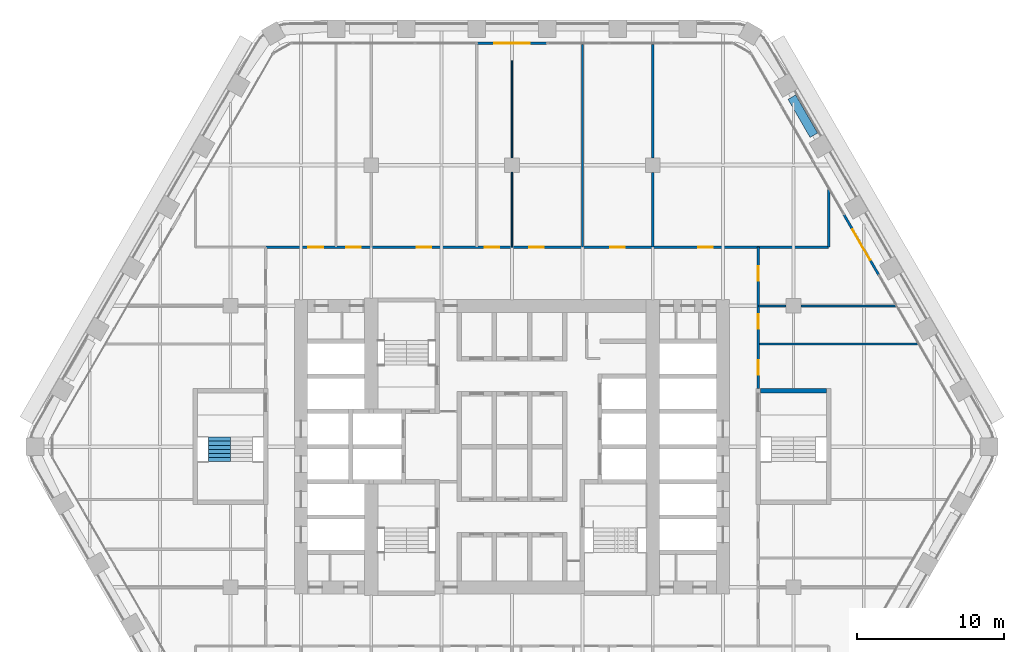
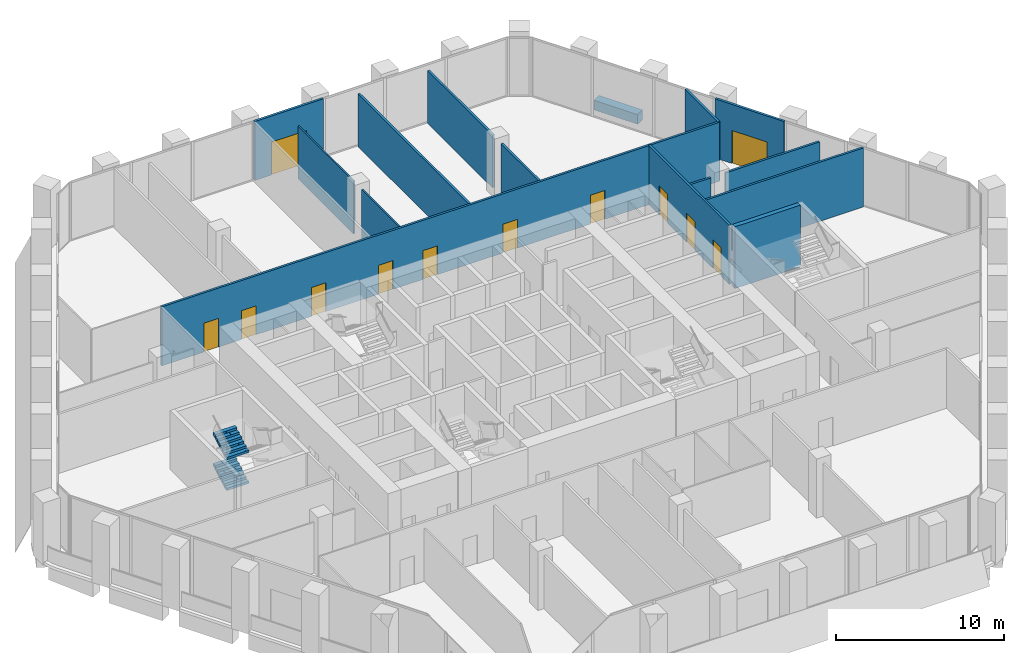
# One storey, part 17 of 23: 15 walls, 12 doors, 2 stair flights, 12 openings, 1 element without a shape of its own.
"""IFC4 building model written with IfcOpenShell, lengths in metres."""

from ifc_helpers import new_model, si_unit, direction, frame, frame_2d, origin, place, context, subcontext, project, spatial, polyline, rectangle, outline, extrude, material, layer, layer_set, type_object, element, fill, aggregate, save


model = new_model("IFC4")

# Units and contexts
model_context = context("Model", 3, precision=1e-05, world=origin(), true_north=direction((0.0, 1.0)))
body_context = subcontext(model_context, "Body", "Model", "MODEL_VIEW")
ifc_project = project(units=[si_unit("LENGTHUNIT", "METRE"), si_unit("AREAUNIT", "SQUARE_METRE"), si_unit("VOLUMEUNIT", "CUBIC_METRE"), si_unit("PLANEANGLEUNIT", "RADIAN"), si_unit("MASSUNIT", "GRAM", prefix="KILO")], contexts=[model_context])

# Site, building, storey
site_placement = place(None, origin())
site = spatial("IfcSite", under=ifc_project, at=site_placement, CompositionType="ELEMENT")
building_placement = place(site_placement, origin())
building = spatial("IfcBuilding", under=site, at=building_placement, Name="Kolab Exchange Tower", CompositionType="ELEMENT")
storey_placement = place(building_placement, frame((0.0, 0.0, 100.39990234375)))
storey = spatial("IfcBuildingStorey", under=building, at=storey_placement, Name="L19", CompositionType="ELEMENT", Elevation=100.39990234375)

# Wall, opening, door
ifc_material_1 = material(Name="Aluminium EN AW-6063 T6", Category="aluminium")
ifc_layer_1 = layer(ifc_material_1, 0.159912109375)
ifc_layer_set_1 = layer_set([ifc_layer_1], Name="Aluminium EN AW-6063 T6")
wall_type_1 = type_object("IfcWallType", Name="DOOR SURROUND WALL 160 ALUMINIUM FRAMED", PredefinedType="PARTITIONING", material=ifc_layer_set_1)
wall_1_placement = place(storey_placement, frame((-2.3701171875, 27.5185546875, 0.0), z_axis=(0.0, 0.0, 1.0), x_axis=(1.0, 0.0, 0.0)))
wall_1 = element("IfcWall", 1, at=wall_1_placement, inside=storey, type_object=wall_type_1, Name="Door surround wall", PredefinedType="PARTITIONING", context=body_context, shape_type="SweptSolid", body=[
    extrude(rectangle(XDim=4.740234375, YDim=0.159912109375, at=frame_2d((2.3701171875, 0.0))), origin(), (0.0, 0.0, 1.0), 4.300048828125),
])
opening_1_placement = place(wall_1_placement, frame((1.169921875, 0.0, 0.0)))
opening_1 = element("IfcOpeningElement", 2, at=opening_1_placement, cuts=wall_1, Name="Opening GD1-034", PredefinedType="OPENING", context=body_context, shape_type="SweptSolid", body=[
    extrude(rectangle(XDim=2.39990234375, YDim=2.39990234375, at=frame_2d((1.199951171875, 1.199951171875))), frame((0.0, 0.08984375, 0.0), z_axis=(0.0, -1.0, 0.0), x_axis=(1.0, 0.0, 0.0)), (0.0, 0.0, 1.0), 0.179931640625),
])
door_type_1 = type_object("IfcDoorType", Name="LOGGIA SLIDING GLASS DOOR 2400 X 2400", OperationType="DOUBLE_DOOR_SINGLE_SWING", PredefinedType="DOOR", material=ifc_material_1)
door_1_placement = place(opening_1_placement, origin())
door_1 = element("IfcDoor", 3, at=door_1_placement, inside=storey, type_object=door_type_1, Name="Loggia door", OperationType="DOUBLE_DOOR_SLIDING", OverallHeight=2.39990234375, OverallWidth=2.39990234375, PredefinedType="DOOR", context=body_context, shape_type="SweptSolid", body=[
    extrude(rectangle(XDim=2.39990234375, YDim=2.39990234375, at=frame_2d((1.199951171875, 1.199951171875))), frame((0.0, 0.02490234375, 0.0), z_axis=(0.0, -1.0, 0.0), x_axis=(1.0, 0.0, 0.0)), (0.0, 0.0, 1.0), 0.050048828125),
])
fill(opening_1, door_1)

wall_2_placement = place(storey_placement, frame((22.646728515625, 15.811767578125, 0.0), z_axis=(0.0, 0.0, 1.0), x_axis=(0.499978080042, -0.866038058908, 0.0)))
wall_2 = element("IfcWall", 4, at=wall_2_placement, inside=storey, type_object=wall_type_1, Name="Door surround wall", PredefinedType="PARTITIONING", context=body_context, shape_type="SweptSolid", body=[
    extrude(rectangle(XDim=4.739990234375, YDim=0.159912109375, at=frame_2d((2.3701171875, 0.0))), origin(), (0.0, 0.0, 1.0), 4.300048828125),
])
opening_2_placement = place(wall_2_placement, frame((1.169921875, 0.0, 0.0)))
opening_2 = element("IfcOpeningElement", 5, at=opening_2_placement, cuts=wall_2, Name="Opening GD1-035", PredefinedType="OPENING", context=body_context, shape_type="SweptSolid", body=[
    extrude(rectangle(XDim=2.39990234375, YDim=2.39990234375, at=frame_2d((1.199951171875, 1.199951171875))), frame((0.0, 0.08984375, 0.0), z_axis=(0.0, -1.0, 0.0), x_axis=(1.0, 0.0, 0.0)), (0.0, 0.0, 1.0), 0.179931640625),
])
door_2_placement = place(opening_2_placement, origin())
door_2 = element("IfcDoor", 6, at=door_2_placement, inside=storey, type_object=door_type_1, Name="Loggia door", OperationType="DOUBLE_DOOR_SLIDING", OverallHeight=2.39990234375, OverallWidth=2.39990234375, PredefinedType="DOOR", context=body_context, shape_type="SweptSolid", body=[
    extrude(rectangle(XDim=2.39990234375, YDim=2.39990234375, at=frame_2d((1.199951171875, 1.199951171875))), frame((0.0, 0.02490234375, 0.0), z_axis=(0.0, -1.0, 0.0), x_axis=(1.0, 0.0, 0.0)), (0.0, 0.0, 1.0), 0.050048828125),
])
fill(opening_2, door_2)

# Walls
ifc_material_2 = material(Name="Gypsum board", Category="gypsum")
ifc_layer_2 = layer(ifc_material_2, 0.10009765625)
ifc_layer_set_2 = layer_set([ifc_layer_2], Name="Gypsum board")
wall_type_2 = type_object("IfcWallType", Name="PARTITION 100", PredefinedType="PARTITIONING", material=ifc_layer_set_2)
wall_3_placement = place(storey_placement, frame((0.0, 13.60009765625, 0.0), z_axis=(0.0, 0.0, 1.0), x_axis=(0.0, 1.0, 0.0)))
element("IfcWall", 7, at=wall_3_placement, inside=storey, type_object=wall_type_2, Name="Partition 016", PredefinedType="PARTITIONING", context=body_context, shape_type="SweptSolid", body=[
    extrude(rectangle(XDim=5.099853515625, YDim=0.10009765625, at=frame_2d((2.5498046875, 0.0))), origin(), (0.0, 0.0, 1.0), 3.843017578125),
])
wall_4_placement = place(storey_placement, frame((0.0, 19.699951171875, 0.0), z_axis=(0.0, 0.0, 1.0), x_axis=(0.0, 1.0, 0.0)))
element("IfcWall", 8, at=wall_4_placement, inside=storey, type_object=wall_type_2, Name="Partition 017", PredefinedType="PARTITIONING", context=body_context, shape_type="SweptSolid", body=[
    extrude(rectangle(XDim=6.61865234375, YDim=0.10009765625, at=frame_2d((3.309326171875, 0.0))), origin(), (0.0, 0.0, 1.0), 3.843017578125),
])
ifc_layer_3 = layer(ifc_material_2, 0.14990234375)
ifc_layer_set_3 = layer_set([ifc_layer_3], Name="Gypsum board")
wall_type_3 = type_object("IfcWallType", Name="PARTITION 150 FIRE-RATED", PredefinedType="PARTITIONING", material=ifc_layer_set_3)
wall_5_placement = place(storey_placement, frame((21.60009765625, 13.60009765625, 0.0), z_axis=(0.0, 0.0, 1.0), x_axis=(0.0, 1.0, 0.0)))
element("IfcWall", 9, at=wall_5_placement, inside=storey, type_object=wall_type_3, Name="Partition 001", PredefinedType="PARTITIONING", context=body_context, shape_type="SweptSolid", body=[
    extrude(rectangle(XDim=3.944580078125, YDim=0.14990234375, at=frame_2d((1.97216796875, 0.0))), origin(), (0.0, 0.0, 1.0), 4.300048828125),
])

# Wall, openings, doors
wall_6_placement = place(storey_placement, frame((16.800048828125, 3.949951171875, 0.0), z_axis=(0.0, 0.0, 1.0), x_axis=(0.0, 1.0, 0.0)))
wall_6 = element("IfcWall", 10, at=wall_6_placement, inside=storey, type_object=wall_type_3, Name="Partition 003", PredefinedType="PARTITIONING", context=body_context, shape_type="SweptSolid", body=[
    extrude(rectangle(XDim=9.650146484375, YDim=0.14990234375, at=frame_2d((4.8251953125, 0.0))), origin(), (0.0, 0.0, 1.0), 4.300048828125),
])
opening_3_placement = place(wall_6_placement, frame((0.949951171875, 0.0, 0.0)))
opening_3 = element("IfcOpeningElement", 11, at=opening_3_placement, cuts=wall_6, Name="Opening D1-273", PredefinedType="OPENING", context=body_context, shape_type="SweptSolid", body=[
    extrude(rectangle(XDim=1.0, YDim=2.10009765625, at=frame_2d((0.5, 1.050048828125))), frame((0.0, 0.0849609375, 0.0), z_axis=(0.0, -1.0, 0.0), x_axis=(1.0, 0.0, 0.0)), (0.0, 0.0, 1.0), 0.169921875),
])
opening_4_placement = place(wall_6_placement, frame((4.094970703125, 0.0, 0.0)))
opening_4 = element("IfcOpeningElement", 12, at=opening_4_placement, cuts=wall_6, Name="Opening D1-274", PredefinedType="OPENING", context=body_context, shape_type="SweptSolid", body=[
    extrude(rectangle(XDim=1.0, YDim=2.10009765625, at=frame_2d((0.5, 1.050048828125))), frame((0.0, 0.0849609375, 0.0), z_axis=(0.0, -1.0, 0.0), x_axis=(1.0, 0.0, 0.0)), (0.0, 0.0, 1.0), 0.169921875),
])
opening_5_placement = place(wall_6_placement, frame((7.35009765625, 0.0, 0.0)))
opening_5 = element("IfcOpeningElement", 13, at=opening_5_placement, cuts=wall_6, Name="Opening D1-275", PredefinedType="OPENING", context=body_context, shape_type="SweptSolid", body=[
    extrude(rectangle(XDim=1.0, YDim=2.10009765625, at=frame_2d((0.5, 1.050048828125))), frame((0.0, 0.0849609375, 0.0), z_axis=(0.0, -1.0, 0.0), x_axis=(1.0, 0.0, 0.0)), (0.0, 0.0, 1.0), 0.169921875),
])
ifc_material_3 = material(Name="Steel S235", Category="steel")
door_type_2 = type_object("IfcDoorType", Name="FLUSH DOOR 1000 FD60", OperationType="SINGLE_SWING_LEFT", PredefinedType="DOOR", material=ifc_material_3)
door_3_placement = place(opening_3_placement, frame((1.0, 0.0, 0.0), z_axis=(0.0, 0.0, 1.0), x_axis=(-1.0, 0.0, 0.0)))
door_3 = element("IfcDoor", 14, at=door_3_placement, inside=storey, type_object=door_type_2, Name="Door L19-067", OperationType="SINGLE_SWING_RIGHT", OverallHeight=2.10009765625, OverallWidth=1.0, PredefinedType="DOOR", context=body_context, shape_type="SweptSolid", body=[
    extrude(rectangle(XDim=1.0, YDim=2.10009765625, at=frame_2d((0.5, 1.050048828125))), frame((0.0, 0.02490234375, 0.0), z_axis=(0.0, -1.0, 0.0), x_axis=(1.0, 0.0, 0.0)), (0.0, 0.0, 1.0), 0.050048828125),
])
fill(opening_3, door_3)
door_4_placement = place(opening_4_placement, frame((1.0, 0.0, 0.0), z_axis=(0.0, 0.0, 1.0), x_axis=(-1.0, 0.0, 0.0)))
door_4 = element("IfcDoor", 15, at=door_4_placement, inside=storey, type_object=door_type_2, Name="Door L19-068", OperationType="SINGLE_SWING_RIGHT", OverallHeight=2.10009765625, OverallWidth=1.0, PredefinedType="DOOR", context=body_context, shape_type="SweptSolid", body=[
    extrude(rectangle(XDim=1.0, YDim=2.10009765625, at=frame_2d((0.5, 1.050048828125))), frame((0.0, 0.02490234375, 0.0), z_axis=(0.0, -1.0, 0.0), x_axis=(1.0, 0.0, 0.0)), (0.0, 0.0, 1.0), 0.050048828125),
])
fill(opening_4, door_4)
door_5_placement = place(opening_5_placement, frame((1.0, 0.0, 0.0), z_axis=(0.0, 0.0, 1.0), x_axis=(-1.0, 0.0, 0.0)))
door_5 = element("IfcDoor", 16, at=door_5_placement, inside=storey, type_object=door_type_2, Name="Door L19-069", OperationType="SINGLE_SWING_RIGHT", OverallHeight=2.10009765625, OverallWidth=1.0, PredefinedType="DOOR", context=body_context, shape_type="SweptSolid", body=[
    extrude(rectangle(XDim=1.0, YDim=2.10009765625, at=frame_2d((0.5, 1.050048828125))), frame((0.0, 0.02490234375, 0.0), z_axis=(0.0, -1.0, 0.0), x_axis=(1.0, 0.0, 0.0)), (0.0, 0.0, 1.0), 0.050048828125),
])
fill(opening_5, door_5)

# Walls
wall_7_placement = place(storey_placement, frame((9.60009765625, 13.60009765625, 0.0), z_axis=(0.0, 0.0, 1.0), x_axis=(0.0, 1.0, 0.0)))
element("IfcWall", 17, at=wall_7_placement, inside=storey, type_object=wall_type_3, Name="Partition 009", PredefinedType="PARTITIONING", context=body_context, shape_type="SweptSolid", body=[
    extrude(rectangle(XDim=5.099853515625, YDim=0.14990234375, at=frame_2d((2.5498046875, 0.0))), origin(), (0.0, 0.0, 1.0), 3.843017578125),
])
wall_8_placement = place(storey_placement, frame((9.60009765625, 19.699951171875, 0.0), z_axis=(0.0, 0.0, 1.0), x_axis=(0.0, 1.0, 0.0)))
element("IfcWall", 18, at=wall_8_placement, inside=storey, type_object=wall_type_3, Name="Partition 010", PredefinedType="PARTITIONING", context=body_context, shape_type="SweptSolid", body=[
    extrude(rectangle(XDim=7.728515625, YDim=0.14990234375, at=frame_2d((3.8642578125, 0.0))), origin(), (0.0, 0.0, 1.0), 3.843017578125),
])
wall_9_placement = place(storey_placement, frame((4.800048828125, 13.60009765625, 0.0), z_axis=(0.0, 0.0, 1.0), x_axis=(0.0, 1.0, 0.0)))
element("IfcWall", 19, at=wall_9_placement, inside=storey, type_object=wall_type_3, Name="Partition 013", PredefinedType="PARTITIONING", context=body_context, shape_type="SweptSolid", body=[
    extrude(rectangle(XDim=13.828369140625, YDim=0.14990234375, at=frame_2d((6.9140625, 0.0))), origin(), (0.0, 0.0, 1.0), 3.843017578125),
])
wall_10_placement = place(storey_placement, frame((16.800048828125, 7.0, 0.0), z_axis=(0.0, 0.0, 1.0), x_axis=(1.0, 0.0, 0.0)))
element("IfcWall", 20, at=wall_10_placement, inside=storey, type_object=wall_type_3, Name="Partition 049", PredefinedType="PARTITIONING", context=body_context, shape_type="SweptSolid", body=[
    extrude(rectangle(XDim=10.887939453125, YDim=0.14990234375, at=frame_2d((5.44384765625, 0.0))), origin(), (0.0, 0.0, 1.0), 4.300048828125),
])
wall_11_placement = place(storey_placement, frame((16.800048828125, 9.60009765625, 0.0), z_axis=(0.0, 0.0, 1.0), x_axis=(1.0, 0.0, 0.0)))
element("IfcWall", 21, at=wall_11_placement, inside=storey, type_object=wall_type_3, Name="Partition 052", PredefinedType="PARTITIONING", context=body_context, shape_type="SweptSolid", body=[
    extrude(rectangle(XDim=1.89990234375, YDim=0.14990234375, at=frame_2d((0.949951171875, 0.0))), origin(), (0.0, 0.0, 1.0), 3.692138671875),
])
wall_12_placement = place(storey_placement, frame((19.699951171875, 9.60009765625, 0.0), z_axis=(0.0, 0.0, 1.0), x_axis=(1.0, 0.0, 0.0)))
element("IfcWall", 22, at=wall_12_placement, inside=storey, type_object=wall_type_3, Name="Partition 053", PredefinedType="PARTITIONING", context=body_context, shape_type="SweptSolid", body=[
    extrude(rectangle(XDim=6.48681640625, YDim=0.14990234375, at=frame_2d((3.243408203125, 0.0))), origin(), (0.0, 0.0, 1.0), 3.692138671875),
])

# Wall, openings, doors
wall_13_placement = place(storey_placement, frame((-16.800048828125, 13.60009765625, 0.0), z_axis=(0.0, 0.0, 1.0), x_axis=(1.0, 0.0, 0.0)))
wall_13 = element("IfcWall", 23, at=wall_13_placement, inside=storey, type_object=wall_type_3, Name="Partition 055", PredefinedType="PARTITIONING", context=body_context, shape_type="SweptSolid", body=[
    extrude(rectangle(XDim=38.400146484375, YDim=0.14990234375, at=frame_2d((19.2001953125, 0.0))), origin(), (0.0, 0.0, 1.0), 4.300048828125),
])
opening_6_placement = place(wall_13_placement, frame((2.9150390625, 0.0, 0.0)))
opening_6 = element("IfcOpeningElement", 24, at=opening_6_placement, cuts=wall_13, Name="Opening D1-256", PredefinedType="OPENING", context=body_context, shape_type="SweptSolid", body=[
    extrude(rectangle(XDim=1.0, YDim=2.10009765625, at=frame_2d((0.5, 1.050048828125))), frame((0.0, 0.0849609375, 0.0), z_axis=(0.0, -1.0, 0.0), x_axis=(1.0, 0.0, 0.0)), (0.0, 0.0, 1.0), 0.169921875),
])
opening_7_placement = place(wall_13_placement, frame((5.5, 0.0, 0.0)))
opening_7 = element("IfcOpeningElement", 25, at=opening_7_placement, cuts=wall_13, Name="Opening D1-257", PredefinedType="OPENING", context=body_context, shape_type="SweptSolid", body=[
    extrude(rectangle(XDim=1.0, YDim=2.10009765625, at=frame_2d((0.5, 1.050048828125))), frame((0.0, 0.0849609375, 0.0), z_axis=(0.0, -1.0, 0.0), x_axis=(1.0, 0.0, 0.0)), (0.0, 0.0, 1.0), 0.169921875),
])
opening_8_placement = place(wall_13_placement, frame((10.300048828125, 0.0, 0.0)))
opening_8 = element("IfcOpeningElement", 26, at=opening_8_placement, cuts=wall_13, Name="Opening D1-258", PredefinedType="OPENING", context=body_context, shape_type="SweptSolid", body=[
    extrude(rectangle(XDim=1.0, YDim=2.10009765625, at=frame_2d((0.5, 1.050048828125))), frame((0.0, 0.0849609375, 0.0), z_axis=(0.0, -1.0, 0.0), x_axis=(1.0, 0.0, 0.0)), (0.0, 0.0, 1.0), 0.169921875),
])
opening_9_placement = place(wall_13_placement, frame((14.925048828125, 0.0, 0.0)))
opening_9 = element("IfcOpeningElement", 27, at=opening_9_placement, cuts=wall_13, Name="Opening D1-259", PredefinedType="OPENING", context=body_context, shape_type="SweptSolid", body=[
    extrude(rectangle(XDim=1.0, YDim=2.10009765625, at=frame_2d((0.5, 1.050048828125))), frame((0.0, 0.0849609375, 0.0), z_axis=(0.0, -1.0, 0.0), x_axis=(1.0, 0.0, 0.0)), (0.0, 0.0, 1.0), 0.169921875),
])
opening_10_placement = place(wall_13_placement, frame((17.97509765625, 0.0, 0.0)))
opening_10 = element("IfcOpeningElement", 28, at=opening_10_placement, cuts=wall_13, Name="Opening D1-260", PredefinedType="OPENING", context=body_context, shape_type="SweptSolid", body=[
    extrude(rectangle(XDim=1.0, YDim=2.10009765625, at=frame_2d((0.5, 1.050048828125))), frame((0.0, 0.0849609375, 0.0), z_axis=(0.0, -1.0, 0.0), x_axis=(1.0, 0.0, 0.0)), (0.0, 0.0, 1.0), 0.169921875),
])
opening_11_placement = place(wall_13_placement, frame((23.5, 0.0, 0.0)))
opening_11 = element("IfcOpeningElement", 29, at=opening_11_placement, cuts=wall_13, Name="Opening D1-261", PredefinedType="OPENING", context=body_context, shape_type="SweptSolid", body=[
    extrude(rectangle(XDim=1.0, YDim=2.10009765625, at=frame_2d((0.5, 1.050048828125))), frame((0.0, 0.0849609375, 0.0), z_axis=(0.0, -1.0, 0.0), x_axis=(1.0, 0.0, 0.0)), (0.0, 0.0, 1.0), 0.169921875),
])
opening_12_placement = place(wall_13_placement, frame((29.5, 0.0, 0.0)))
opening_12 = element("IfcOpeningElement", 30, at=opening_12_placement, cuts=wall_13, Name="Opening D1-262", PredefinedType="OPENING", context=body_context, shape_type="SweptSolid", body=[
    extrude(rectangle(XDim=1.0, YDim=2.10009765625, at=frame_2d((0.5, 1.050048828125))), frame((0.0, 0.0849609375, 0.0), z_axis=(0.0, -1.0, 0.0), x_axis=(1.0, 0.0, 0.0)), (0.0, 0.0, 1.0), 0.169921875),
])
door_6_placement = place(opening_6_placement, origin())
door_6 = element("IfcDoor", 31, at=door_6_placement, inside=storey, type_object=door_type_2, Name="Door L19-050", OperationType="SINGLE_SWING_RIGHT", OverallHeight=2.10009765625, OverallWidth=1.0, PredefinedType="DOOR", context=body_context, shape_type="SweptSolid", body=[
    extrude(rectangle(XDim=1.0, YDim=2.10009765625, at=frame_2d((0.5, 1.050048828125))), frame((0.0, 0.02490234375, 0.0), z_axis=(0.0, -1.0, 0.0), x_axis=(1.0, 0.0, 0.0)), (0.0, 0.0, 1.0), 0.050048828125),
])
fill(opening_6, door_6)
door_7_placement = place(opening_7_placement, origin())
door_7 = element("IfcDoor", 32, at=door_7_placement, inside=storey, type_object=door_type_2, Name="Door L19-051", OperationType="SINGLE_SWING_LEFT", OverallHeight=2.10009765625, OverallWidth=1.0, PredefinedType="DOOR", context=body_context, shape_type="SweptSolid", body=[
    extrude(rectangle(XDim=1.0, YDim=2.10009765625, at=frame_2d((0.5, 1.050048828125))), frame((0.0, 0.02490234375, 0.0), z_axis=(0.0, -1.0, 0.0), x_axis=(1.0, 0.0, 0.0)), (0.0, 0.0, 1.0), 0.050048828125),
])
fill(opening_7, door_7)
door_8_placement = place(opening_8_placement, origin())
door_8 = element("IfcDoor", 33, at=door_8_placement, inside=storey, type_object=door_type_2, Name="Door L19-052", OperationType="SINGLE_SWING_LEFT", OverallHeight=2.10009765625, OverallWidth=1.0, PredefinedType="DOOR", context=body_context, shape_type="SweptSolid", body=[
    extrude(rectangle(XDim=1.0, YDim=2.10009765625, at=frame_2d((0.5, 1.050048828125))), frame((0.0, 0.02490234375, 0.0), z_axis=(0.0, -1.0, 0.0), x_axis=(1.0, 0.0, 0.0)), (0.0, 0.0, 1.0), 0.050048828125),
])
fill(opening_8, door_8)
door_9_placement = place(opening_9_placement, origin())
door_9 = element("IfcDoor", 34, at=door_9_placement, inside=storey, type_object=door_type_2, Name="Door L19-053", OperationType="SINGLE_SWING_LEFT", OverallHeight=2.10009765625, OverallWidth=1.0, PredefinedType="DOOR", context=body_context, shape_type="SweptSolid", body=[
    extrude(rectangle(XDim=1.0, YDim=2.10009765625, at=frame_2d((0.5, 1.050048828125))), frame((0.0, 0.02490234375, 0.0), z_axis=(0.0, -1.0, 0.0), x_axis=(1.0, 0.0, 0.0)), (0.0, 0.0, 1.0), 0.050048828125),
])
fill(opening_9, door_9)
door_10_placement = place(opening_10_placement, origin())
door_10 = element("IfcDoor", 35, at=door_10_placement, inside=storey, type_object=door_type_2, Name="Door L19-054", OperationType="SINGLE_SWING_LEFT", OverallHeight=2.10009765625, OverallWidth=1.0, PredefinedType="DOOR", context=body_context, shape_type="SweptSolid", body=[
    extrude(rectangle(XDim=1.0, YDim=2.10009765625, at=frame_2d((0.5, 1.050048828125))), frame((0.0, 0.02490234375, 0.0), z_axis=(0.0, -1.0, 0.0), x_axis=(1.0, 0.0, 0.0)), (0.0, 0.0, 1.0), 0.050048828125),
])
fill(opening_10, door_10)
door_11_placement = place(opening_11_placement, origin())
door_11 = element("IfcDoor", 36, at=door_11_placement, inside=storey, type_object=door_type_2, Name="Door L19-055", OperationType="SINGLE_SWING_LEFT", OverallHeight=2.10009765625, OverallWidth=1.0, PredefinedType="DOOR", context=body_context, shape_type="SweptSolid", body=[
    extrude(rectangle(XDim=1.0, YDim=2.10009765625, at=frame_2d((0.5, 1.050048828125))), frame((0.0, 0.02490234375, 0.0), z_axis=(0.0, -1.0, 0.0), x_axis=(1.0, 0.0, 0.0)), (0.0, 0.0, 1.0), 0.050048828125),
])
fill(opening_11, door_11)
door_12_placement = place(opening_12_placement, origin())
door_12 = element("IfcDoor", 37, at=door_12_placement, inside=storey, type_object=door_type_2, Name="Door L19-056", OperationType="SINGLE_SWING_LEFT", OverallHeight=2.10009765625, OverallWidth=1.0, PredefinedType="DOOR", context=body_context, shape_type="SweptSolid", body=[
    extrude(rectangle(XDim=1.0, YDim=2.10009765625, at=frame_2d((0.5, 1.050048828125))), frame((0.0, 0.02490234375, 0.0), z_axis=(0.0, -1.0, 0.0), x_axis=(1.0, 0.0, 0.0)), (0.0, 0.0, 1.0), 0.050048828125),
])
fill(opening_12, door_12)

# Walls
ifc_material_4 = material(Name="Granite facing", Category="masonry")
ifc_layer_4 = layer(ifc_material_4, 0.0400390625)
ifc_material_5 = material(Name="Concrete C40/50 precast", Category="concrete")
ifc_layer_5 = layer(ifc_material_5, 0.56005859375)
ifc_layer_set_4 = layer_set([ifc_layer_4, ifc_layer_5], Name="Concrete C40/50 precast")
wall_type_4 = type_object("IfcWallType", Name="PLANTER BOX 600 X 700 SOIL DEPTH 550", PredefinedType="USERDEFINED", material=ifc_layer_set_4)
wall_14_placement = place(storey_placement, frame((19.087158203125, 23.837158203125, 0.0), z_axis=(0.0, 0.0, 1.0), x_axis=(0.499990139034, -0.866031096941, 0.0)))
element("IfcWall", 38, at=wall_14_placement, inside=storey, type_object=wall_type_4, Name="Planter", ObjectType="PLANTER", PredefinedType="USERDEFINED", context=body_context, shape_type="SweptSolid", body=[
    extrude(rectangle(XDim=3.0, YDim=0.60009765625, at=frame_2d((1.5, 0.0))), origin(), (0.0, 0.0, 1.0), 0.7001953125),
])
ifc_material_6 = material(Name="Concrete C50/60", Category="concrete")
ifc_layer_6 = layer(ifc_material_6, 0.300048828125)
ifc_layer_set_5 = layer_set([ifc_layer_6], Name="Concrete C50/60")
wall_type_5 = type_object("IfcWallType", Name="STAIR ENCLOSURE WALL 300 C50/60", PredefinedType="STANDARD", material=ifc_layer_set_5)
wall_15_placement = place(storey_placement, frame((16.949951171875, 3.800048828125, -0.199951171875), z_axis=(0.0, 0.0, 1.0), x_axis=(1.0, 0.0, 0.0)))
element("IfcWall", 39, at=wall_15_placement, inside=storey, type_object=wall_type_5, Name="wall/L19/core/041", PredefinedType="STANDARD", context=body_context, shape_type="SweptSolid", body=[
    extrude(rectangle(XDim=4.5, YDim=0.300048828125, at=frame_2d((2.25, 0.0))), origin(), (0.0, 0.0, 1.0), 4.5),
])

# Stair, stair flights
stair_type = type_object("IfcStairType", Name="STAIR ST5 RISER 160.7", PredefinedType="DOUBLE_RETURN_STAIR", material=ifc_material_6)
stair_placement = place(storey_placement, origin())
stair = element("IfcStair", 40, at=stair_placement, inside=storey, type_object=stair_type, Name="Stair 5", PredefinedType="DOUBLE_RETURN_STAIR")
stair_flight_type = type_object("IfcStairFlightType", Name="STAIR FLIGHT 1500 RISER 160.7", PredefinedType="STRAIGHT", material=ifc_material_6)
stair_flight_1_placement = place(storey_placement, frame((-19.9599609375, -1.030029296875, 1.125), z_axis=(0.0, 0.0, 1.0), x_axis=(0.0, 1.0, 0.0)))
stair_flight_1 = element("IfcStairFlight", 41, at=stair_flight_1_placement, type_object=stair_flight_type, Name="ST5 flight 2", NumberOfRisers=7, NumberOfTreads=6, PredefinedType="STRAIGHT", RiserHeight=0.160714286, TreadLength=0.28, context=body_context, shape_type="SweptSolid", body=[
    extrude(outline(polyline([(0.0, 0.0), (0.0, 0.16064453125), (0.280029296875, 0.16064453125), (0.280029296875, 0.321533203125), (0.56005859375, 0.321533203125), (0.56005859375, 0.482177734375), (0.840087890625, 0.482177734375), (0.840087890625, 0.642822265625), (1.1201171875, 0.642822265625), (1.1201171875, 0.803466796875), (1.39990234375, 0.803466796875), (1.39990234375, 0.96435546875), (1.679931640625, 0.96435546875), (1.679931640625, 1.125), (1.679931640625, 0.79150390625), (0.301025390625, 0.0), (0.0, 0.0)])), frame((0.0, 0.75, 0.0), z_axis=(0.0, -1.0, 0.0), x_axis=(1.0, 0.0, 0.0)), (0.0, 0.0, 1.0), 0.185791015625),
    extrude(outline(polyline([(0.0, 0.0), (0.0, 0.16064453125), (0.280029296875, 0.16064453125), (0.280029296875, 0.321533203125), (0.56005859375, 0.321533203125), (0.56005859375, 0.482177734375), (0.840087890625, 0.482177734375), (0.840087890625, 0.642822265625), (1.1201171875, 0.642822265625), (1.1201171875, 0.803466796875), (1.39990234375, 0.803466796875), (1.39990234375, 0.96435546875), (1.679931640625, 0.96435546875), (1.679931640625, 1.125), (1.679931640625, 0.79150390625), (0.301025390625, 0.0), (0.0, 0.0)])), frame((0.0, 0.562255859375, 0.0), z_axis=(0.0, -1.0, 0.0), x_axis=(1.0, 0.0, 0.0)), (0.0, 0.0, 1.0), 0.185791015625),
    extrude(outline(polyline([(0.0, 0.0), (0.0, 0.16064453125), (0.280029296875, 0.16064453125), (0.280029296875, 0.321533203125), (0.56005859375, 0.321533203125), (0.56005859375, 0.482177734375), (0.840087890625, 0.482177734375), (0.840087890625, 0.642822265625), (1.1201171875, 0.642822265625), (1.1201171875, 0.803466796875), (1.39990234375, 0.803466796875), (1.39990234375, 0.96435546875), (1.679931640625, 0.96435546875), (1.679931640625, 1.125), (1.679931640625, 0.79150390625), (0.301025390625, 0.0), (0.0, 0.0)])), frame((0.0, 0.37451171875, 0.0), z_axis=(0.0, -1.0, 0.0), x_axis=(1.0, 0.0, 0.0)), (0.0, 0.0, 1.0), 0.185791015625),
    extrude(outline(polyline([(0.0, 0.0), (0.0, 0.16064453125), (0.280029296875, 0.16064453125), (0.280029296875, 0.321533203125), (0.56005859375, 0.321533203125), (0.56005859375, 0.482177734375), (0.840087890625, 0.482177734375), (0.840087890625, 0.642822265625), (1.1201171875, 0.642822265625), (1.1201171875, 0.803466796875), (1.39990234375, 0.803466796875), (1.39990234375, 0.96435546875), (1.679931640625, 0.96435546875), (1.679931640625, 1.125), (1.679931640625, 0.79150390625), (0.301025390625, 0.0), (0.0, 0.0)])), frame((0.0, 0.186767578125, 0.0), z_axis=(0.0, -1.0, 0.0), x_axis=(1.0, 0.0, 0.0)), (0.0, 0.0, 1.0), 0.185791015625),
    extrude(outline(polyline([(0.0, 0.0), (0.0, 0.16064453125), (0.280029296875, 0.16064453125), (0.280029296875, 0.321533203125), (0.56005859375, 0.321533203125), (0.56005859375, 0.482177734375), (0.840087890625, 0.482177734375), (0.840087890625, 0.642822265625), (1.1201171875, 0.642822265625), (1.1201171875, 0.803466796875), (1.39990234375, 0.803466796875), (1.39990234375, 0.96435546875), (1.679931640625, 0.96435546875), (1.679931640625, 1.125), (1.679931640625, 0.79150390625), (0.301025390625, 0.0), (0.0, 0.0)])), frame((0.0, -0.0009765625, 0.0), z_axis=(0.0, -1.0, 0.0), x_axis=(1.0, 0.0, 0.0)), (0.0, 0.0, 1.0), 0.185791015625),
    extrude(outline(polyline([(0.0, 0.0), (0.0, 0.16064453125), (0.280029296875, 0.16064453125), (0.280029296875, 0.321533203125), (0.56005859375, 0.321533203125), (0.56005859375, 0.482177734375), (0.840087890625, 0.482177734375), (0.840087890625, 0.642822265625), (1.1201171875, 0.642822265625), (1.1201171875, 0.803466796875), (1.39990234375, 0.803466796875), (1.39990234375, 0.96435546875), (1.679931640625, 0.96435546875), (1.679931640625, 1.125), (1.679931640625, 0.79150390625), (0.301025390625, 0.0), (0.0, 0.0)])), frame((0.0, -0.188720703125, 0.0), z_axis=(0.0, -1.0, 0.0), x_axis=(1.0, 0.0, 0.0)), (0.0, 0.0, 1.0), 0.185791015625),
    extrude(outline(polyline([(0.0, 0.0), (0.0, 0.16064453125), (0.280029296875, 0.16064453125), (0.280029296875, 0.321533203125), (0.56005859375, 0.321533203125), (0.56005859375, 0.482177734375), (0.840087890625, 0.482177734375), (0.840087890625, 0.642822265625), (1.1201171875, 0.642822265625), (1.1201171875, 0.803466796875), (1.39990234375, 0.803466796875), (1.39990234375, 0.96435546875), (1.679931640625, 0.96435546875), (1.679931640625, 1.125), (1.679931640625, 0.79150390625), (0.301025390625, 0.0), (0.0, 0.0)])), frame((0.0, -0.37646484375, 0.0), z_axis=(0.0, -1.0, 0.0), x_axis=(1.0, 0.0, 0.0)), (0.0, 0.0, 1.0), 0.185791015625),
    extrude(outline(polyline([(0.0, 0.0), (0.0, 0.16064453125), (0.280029296875, 0.16064453125), (0.280029296875, 0.321533203125), (0.56005859375, 0.321533203125), (0.56005859375, 0.482177734375), (0.840087890625, 0.482177734375), (0.840087890625, 0.642822265625), (1.1201171875, 0.642822265625), (1.1201171875, 0.803466796875), (1.39990234375, 0.803466796875), (1.39990234375, 0.96435546875), (1.679931640625, 0.96435546875), (1.679931640625, 1.125), (1.679931640625, 0.79150390625), (0.301025390625, 0.0), (0.0, 0.0)])), frame((0.0, -0.564208984375, 0.0), z_axis=(0.0, -1.0, 0.0), x_axis=(1.0, 0.0, 0.0)), (0.0, 0.0, 1.0), 0.185791015625),
])
stair_flight_2_placement = place(storey_placement, frame((-19.9599609375, -1.030029296875, 3.375), z_axis=(0.0, 0.0, 1.0), x_axis=(0.0, 1.0, 0.0)))
stair_flight_2 = element("IfcStairFlight", 42, at=stair_flight_2_placement, type_object=stair_flight_type, Name="ST5 flight 4", NumberOfRisers=7, NumberOfTreads=6, PredefinedType="STRAIGHT", RiserHeight=0.160714286, TreadLength=0.28, context=body_context, shape_type="SweptSolid", body=[
    extrude(outline(polyline([(0.0, 0.0), (0.0, 0.16064453125), (0.280029296875, 0.16064453125), (0.280029296875, 0.321533203125), (0.56005859375, 0.321533203125), (0.56005859375, 0.482177734375), (0.840087890625, 0.482177734375), (0.840087890625, 0.642822265625), (1.1201171875, 0.642822265625), (1.1201171875, 0.803466796875), (1.39990234375, 0.803466796875), (1.39990234375, 0.96435546875), (1.679931640625, 0.96435546875), (1.679931640625, 1.125), (1.679931640625, 0.79150390625), (0.301025390625, 0.0), (0.0, 0.0)])), frame((0.0, 0.75, 0.0), z_axis=(0.0, -1.0, 0.0), x_axis=(1.0, 0.0, 0.0)), (0.0, 0.0, 1.0), 0.185791015625),
    extrude(outline(polyline([(0.0, 0.0), (0.0, 0.16064453125), (0.280029296875, 0.16064453125), (0.280029296875, 0.321533203125), (0.56005859375, 0.321533203125), (0.56005859375, 0.482177734375), (0.840087890625, 0.482177734375), (0.840087890625, 0.642822265625), (1.1201171875, 0.642822265625), (1.1201171875, 0.803466796875), (1.39990234375, 0.803466796875), (1.39990234375, 0.96435546875), (1.679931640625, 0.96435546875), (1.679931640625, 1.125), (1.679931640625, 0.79150390625), (0.301025390625, 0.0), (0.0, 0.0)])), frame((0.0, 0.562255859375, 0.0), z_axis=(0.0, -1.0, 0.0), x_axis=(1.0, 0.0, 0.0)), (0.0, 0.0, 1.0), 0.185791015625),
    extrude(outline(polyline([(0.0, 0.0), (0.0, 0.16064453125), (0.280029296875, 0.16064453125), (0.280029296875, 0.321533203125), (0.56005859375, 0.321533203125), (0.56005859375, 0.482177734375), (0.840087890625, 0.482177734375), (0.840087890625, 0.642822265625), (1.1201171875, 0.642822265625), (1.1201171875, 0.803466796875), (1.39990234375, 0.803466796875), (1.39990234375, 0.96435546875), (1.679931640625, 0.96435546875), (1.679931640625, 1.125), (1.679931640625, 0.79150390625), (0.301025390625, 0.0), (0.0, 0.0)])), frame((0.0, 0.37451171875, 0.0), z_axis=(0.0, -1.0, 0.0), x_axis=(1.0, 0.0, 0.0)), (0.0, 0.0, 1.0), 0.185791015625),
    extrude(outline(polyline([(0.0, 0.0), (0.0, 0.16064453125), (0.280029296875, 0.16064453125), (0.280029296875, 0.321533203125), (0.56005859375, 0.321533203125), (0.56005859375, 0.482177734375), (0.840087890625, 0.482177734375), (0.840087890625, 0.642822265625), (1.1201171875, 0.642822265625), (1.1201171875, 0.803466796875), (1.39990234375, 0.803466796875), (1.39990234375, 0.96435546875), (1.679931640625, 0.96435546875), (1.679931640625, 1.125), (1.679931640625, 0.79150390625), (0.301025390625, 0.0), (0.0, 0.0)])), frame((0.0, 0.186767578125, 0.0), z_axis=(0.0, -1.0, 0.0), x_axis=(1.0, 0.0, 0.0)), (0.0, 0.0, 1.0), 0.185791015625),
    extrude(outline(polyline([(0.0, 0.0), (0.0, 0.16064453125), (0.280029296875, 0.16064453125), (0.280029296875, 0.321533203125), (0.56005859375, 0.321533203125), (0.56005859375, 0.482177734375), (0.840087890625, 0.482177734375), (0.840087890625, 0.642822265625), (1.1201171875, 0.642822265625), (1.1201171875, 0.803466796875), (1.39990234375, 0.803466796875), (1.39990234375, 0.96435546875), (1.679931640625, 0.96435546875), (1.679931640625, 1.125), (1.679931640625, 0.79150390625), (0.301025390625, 0.0), (0.0, 0.0)])), frame((0.0, -0.0009765625, 0.0), z_axis=(0.0, -1.0, 0.0), x_axis=(1.0, 0.0, 0.0)), (0.0, 0.0, 1.0), 0.185791015625),
    extrude(outline(polyline([(0.0, 0.0), (0.0, 0.16064453125), (0.280029296875, 0.16064453125), (0.280029296875, 0.321533203125), (0.56005859375, 0.321533203125), (0.56005859375, 0.482177734375), (0.840087890625, 0.482177734375), (0.840087890625, 0.642822265625), (1.1201171875, 0.642822265625), (1.1201171875, 0.803466796875), (1.39990234375, 0.803466796875), (1.39990234375, 0.96435546875), (1.679931640625, 0.96435546875), (1.679931640625, 1.125), (1.679931640625, 0.79150390625), (0.301025390625, 0.0), (0.0, 0.0)])), frame((0.0, -0.188720703125, 0.0), z_axis=(0.0, -1.0, 0.0), x_axis=(1.0, 0.0, 0.0)), (0.0, 0.0, 1.0), 0.185791015625),
    extrude(outline(polyline([(0.0, 0.0), (0.0, 0.16064453125), (0.280029296875, 0.16064453125), (0.280029296875, 0.321533203125), (0.56005859375, 0.321533203125), (0.56005859375, 0.482177734375), (0.840087890625, 0.482177734375), (0.840087890625, 0.642822265625), (1.1201171875, 0.642822265625), (1.1201171875, 0.803466796875), (1.39990234375, 0.803466796875), (1.39990234375, 0.96435546875), (1.679931640625, 0.96435546875), (1.679931640625, 1.125), (1.679931640625, 0.79150390625), (0.301025390625, 0.0), (0.0, 0.0)])), frame((0.0, -0.37646484375, 0.0), z_axis=(0.0, -1.0, 0.0), x_axis=(1.0, 0.0, 0.0)), (0.0, 0.0, 1.0), 0.185791015625),
    extrude(outline(polyline([(0.0, 0.0), (0.0, 0.16064453125), (0.280029296875, 0.16064453125), (0.280029296875, 0.321533203125), (0.56005859375, 0.321533203125), (0.56005859375, 0.482177734375), (0.840087890625, 0.482177734375), (0.840087890625, 0.642822265625), (1.1201171875, 0.642822265625), (1.1201171875, 0.803466796875), (1.39990234375, 0.803466796875), (1.39990234375, 0.96435546875), (1.679931640625, 0.96435546875), (1.679931640625, 1.125), (1.679931640625, 0.79150390625), (0.301025390625, 0.0), (0.0, 0.0)])), frame((0.0, -0.564208984375, 0.0), z_axis=(0.0, -1.0, 0.0), x_axis=(1.0, 0.0, 0.0)), (0.0, 0.0, 1.0), 0.185791015625),
])
aggregate(stair, [stair_flight_1, stair_flight_2])

save(model, "model.ifc")
